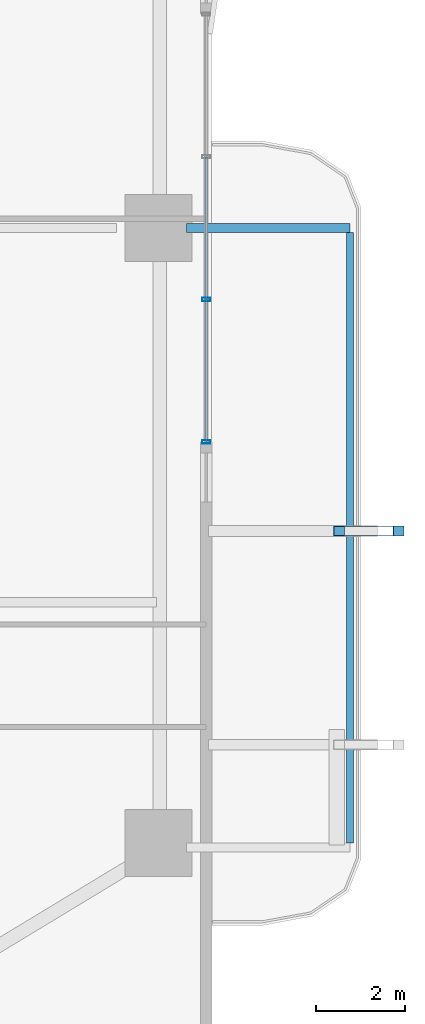
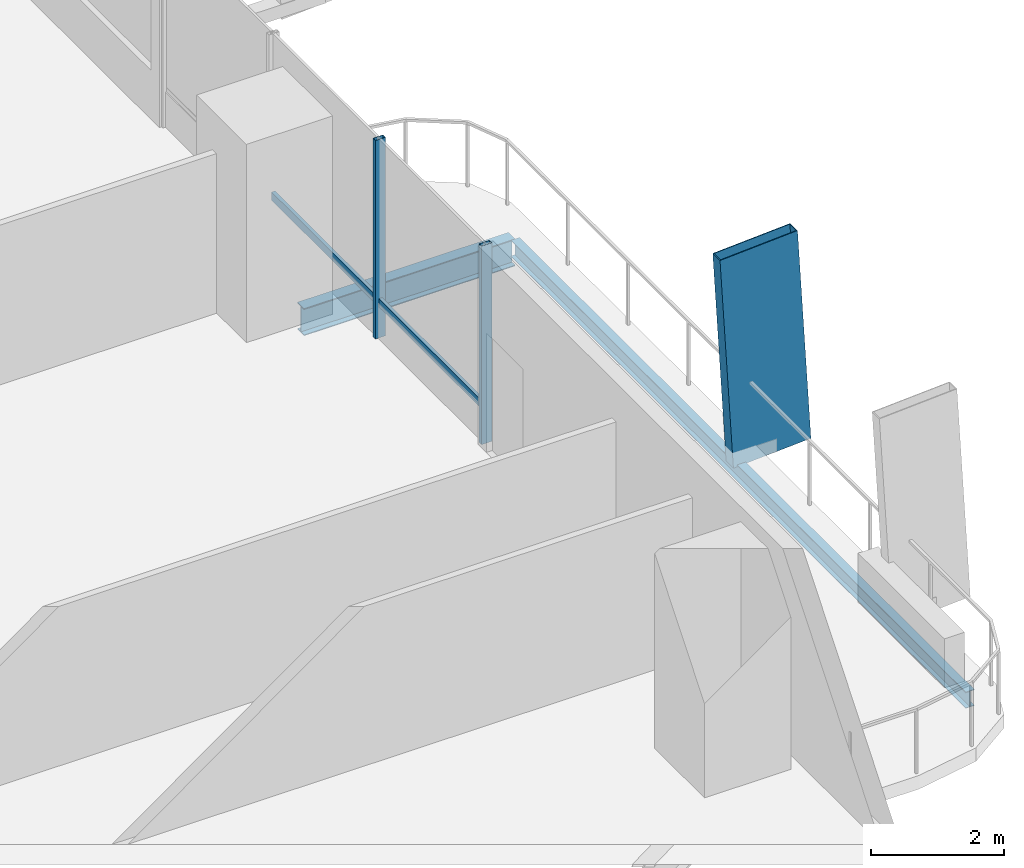
# One storey, part 12 of 30: 5 members, 2 beams, 1 element without a shape of its own.
"""IFC4 building model written with IfcOpenShell, lengths in metres."""

from ifc_helpers import new_model, si_unit, direction, frame, origin, origin_2d, place, context, subcontext, project, spatial, hollow_rectangle, i_section, extrude, material, layer, layer_set, material_profile, profile_set, type_object, element, aggregate, save


model = new_model("IFC4")

# Units and contexts
model_context = context("Model", 3, precision=1e-05, world=origin(), true_north=direction((0.0, 1.0)))
body_context = subcontext(model_context, "Body", "Model", "MODEL_VIEW")
ifc_project = project(units=[si_unit("LENGTHUNIT", "METRE"), si_unit("AREAUNIT", "SQUARE_METRE"), si_unit("VOLUMEUNIT", "CUBIC_METRE"), si_unit("PLANEANGLEUNIT", "RADIAN"), si_unit("MASSUNIT", "GRAM", prefix="KILO")], contexts=[model_context])

# Site, building, storey
site_placement = place(None, origin())
site = spatial("IfcSite", under=ifc_project, at=site_placement, CompositionType="ELEMENT")
building_placement = place(site_placement, origin())
building = spatial("IfcBuilding", under=site, at=building_placement, Name="Belovzor Exchange Tower", CompositionType="ELEMENT")
storey_placement = place(building_placement, frame((0.0, 0.0, 30.0)))
storey = spatial("IfcBuildingStorey", under=building, at=storey_placement, Name="L06", CompositionType="ELEMENT", Elevation=30.0)

# Member
ifc_material_1 = material(Name="Extruded Architectural Terracotta on Steel S355 Carrier", Category="masonry")
ifc_material_profile_1 = material_profile(ifc_material_1, hollow_rectangle(XDim=0.219970703125, YDim=1.35009765625, WallThickness=0.013916015625, at=origin_2d()))
ifc_profile_set_1 = profile_set([ifc_material_profile_1], Name="Extruded Architectural Terracotta on Steel S355 Carrier")
member_type_1 = type_object("IfcMemberType", Name="Base Arc Sweeping Terracotta Pylon Fin 1450", PredefinedType="USERDEFINED", material=ifc_profile_set_1)
member_1_placement = place(storey_placement, frame((60.3369140625, 22.0, -0.25), z_axis=(-0.059615826389, 0.0, 0.998221394904), x_axis=(0.0, -1.0, 0.0)))
element("IfcMember", 1, at=member_1_placement, inside=storey, type_object=member_type_1, Name="FIN-TC145 Terracotta Facade Fin L06 E2", ObjectType="FIN", PredefinedType="USERDEFINED", context=body_context, shape_type="SweptSolid", body=[
    extrude(hollow_rectangle(XDim=0.219970703125, YDim=1.35009765625, WallThickness=0.013916015625, at=origin_2d()), origin(), (0.0, 0.0, 1.0), 3.90673828125),
])

# Beams
ifc_material_2 = material(Name="Steel S355", Category="steel")
ifc_material_profile_2 = material_profile(ifc_material_2, i_section(OverallWidth=0.199951171875, OverallDepth=0.5, WebThickness=0.01025390625, FlangeThickness=0.01611328125, at=origin_2d()))
ifc_profile_set_2 = profile_set([ifc_material_profile_2], Name="Steel S355")
beam_type_1 = type_object("IfcBeamType", Name="Planted Balcony Cantilever Beam IPE 500", PredefinedType="BEAM", material=ifc_profile_set_2)
beam_1_placement = place(storey_placement, frame((56.1298828125, 28.800048828125, -0.5), z_axis=(1.0, 0.0, 0.0), x_axis=(0.0, 1.0, 0.0)))
element("IfcBeam", 2, at=beam_1_placement, inside=storey, type_object=beam_type_1, Name="BC-500 Planted Balcony Cantilever Beam IPE 500", PredefinedType="BEAM", context=body_context, shape_type="SweptSolid", body=[
    extrude(i_section(OverallWidth=0.199951171875, OverallDepth=0.5, WebThickness=0.01025390625, FlangeThickness=0.01611328125, at=origin_2d()), origin(), (0.0, 0.0, 1.0), 3.670166015625),
])
ifc_material_3 = material(Name="Steel S355", Category="steel")
ifc_material_profile_3 = material_profile(ifc_material_3, i_section(OverallWidth=0.14990234375, OverallDepth=0.300048828125, WebThickness=0.007080078125, FlangeThickness=0.0107421875, at=origin_2d()))
ifc_profile_set_3 = profile_set([ifc_material_profile_3], Name="Steel S355")
beam_type_2 = type_object("IfcBeamType", Name="Planted Balcony Fascia Edge Beam IPE 300", PredefinedType="BEAM", material=ifc_profile_set_3)
beam_2_placement = place(storey_placement, frame((59.800048828125, 15.0, -0.39990234375), z_axis=(0.0, 1.0, 0.0), x_axis=(-1.0, 0.0, 0.0)))
element("IfcBeam", 3, at=beam_2_placement, inside=storey, type_object=beam_type_2, Name="BC-300 Planted Balcony Fascia Edge Beam IPE 300", PredefinedType="BEAM", context=body_context, shape_type="SweptSolid", body=[
    extrude(i_section(OverallWidth=0.14990234375, OverallDepth=0.300048828125, WebThickness=0.007080078125, FlangeThickness=0.0107421875, at=origin_2d()), origin(), (0.0, 0.0, 1.0), 13.699951171875),
])

# Curtain wall, members
ifc_material_4 = material(Name="Anodised Aluminium Framing", Category="aluminium")
ifc_layer = layer(ifc_material_4, 0.179931640625)
ifc_layer_set = layer_set([ifc_layer], Name="Anodised Aluminium Framing")
curtain_wall_type = type_object("IfcCurtainWallType", Name="Recessed Loggia Low-Iron Triple-Glazed Curtain Wall", PredefinedType="NOTDEFINED", material=ifc_layer_set)
curtain_wall_placement = place(storey_placement, origin())
curtain_wall = element("IfcCurtainWall", 4, at=curtain_wall_placement, inside=storey, type_object=curtain_wall_type, Name="CW3 Recessed Loggia Low-Iron Triple-Glazed Curtain Wall L06", PredefinedType="NOTDEFINED")
ifc_material_5 = material(Name="Steel S355", Category="steel")
ifc_material_profile_4 = material_profile(ifc_material_5, hollow_rectangle(XDim=0.074951171875, YDim=0.179931640625, WallThickness=0.0048828125, at=origin_2d()))
ifc_profile_set_4 = profile_set([ifc_material_profile_4], Name="Steel S355")
member_type_2 = type_object("IfcMemberType", Name="Thermally Broken Curtain Wall Mullion 180x75", PredefinedType="MULLION", material=ifc_profile_set_4)
member_2_placement = place(storey_placement, frame((56.570068359375, 27.199951171875, 0.0), z_axis=(0.0, 0.0, 1.0), x_axis=(0.0, -1.0, 0.0)))
member_2 = element("IfcMember", 5, at=member_2_placement, type_object=member_type_2, Name="CW-M180 Curtain Wall Mullion 3", PredefinedType="MULLION", context=body_context, shape_type="SweptSolid", body=[
    extrude(hollow_rectangle(XDim=0.074951171875, YDim=0.179931640625, WallThickness=0.0048828125, at=origin_2d()), origin(), (0.0, 0.0, 1.0), 3.64990234375),
])
member_3_placement = place(storey_placement, frame((56.570068359375, 24.0, 0.0), z_axis=(0.0, 0.0, 1.0), x_axis=(0.0, -1.0, 0.0)))
member_3 = element("IfcMember", 6, at=member_3_placement, type_object=member_type_2, Name="CW-M180 Curtain Wall Mullion 4", PredefinedType="MULLION", context=body_context, shape_type="SweptSolid", body=[
    extrude(hollow_rectangle(XDim=0.074951171875, YDim=0.179931640625, WallThickness=0.0048828125, at=origin_2d()), origin(), (0.0, 0.0, 1.0), 3.64990234375),
])
ifc_material_6 = material(Name="Steel S355", Category="steel")
ifc_material_profile_5 = material_profile(ifc_material_6, hollow_rectangle(XDim=0.06005859375, YDim=0.14990234375, WallThickness=0.00390625, at=origin_2d()))
ifc_profile_set_5 = profile_set([ifc_material_profile_5], Name="Steel S355")
member_type_3 = type_object("IfcMemberType", Name="Thermally Broken Curtain Wall Transom 150x60", PredefinedType="USERDEFINED", material=ifc_profile_set_5)
member_4_placement = place(storey_placement, frame((56.570068359375, 30.39208984375, 0.64990234375), z_axis=(0.0, -1.0, 0.0), x_axis=(1.0, 0.0, 0.0)))
member_4 = element("IfcMember", 7, at=member_4_placement, type_object=member_type_3, Name="CW-T150 Curtain Wall Transom 2", ObjectType="TRANSOM", PredefinedType="USERDEFINED", context=body_context, shape_type="SweptSolid", body=[
    extrude(hollow_rectangle(XDim=0.06005859375, YDim=0.14990234375, WallThickness=0.00390625, at=origin_2d()), origin(), (0.0, 0.0, 1.0), 3.18408203125),
])
member_5_placement = place(storey_placement, frame((56.570068359375, 27.19189453125, 0.64990234375), z_axis=(0.0, -1.0, 0.0), x_axis=(1.0, 0.0, 0.0)))
member_5 = element("IfcMember", 8, at=member_5_placement, type_object=member_type_3, Name="CW-T150 Curtain Wall Transom 3", ObjectType="TRANSOM", PredefinedType="USERDEFINED", context=body_context, shape_type="SweptSolid", body=[
    extrude(hollow_rectangle(XDim=0.06005859375, YDim=0.14990234375, WallThickness=0.00390625, at=origin_2d()), origin(), (0.0, 0.0, 1.0), 3.183837890625),
])
aggregate(curtain_wall, [member_2, member_3, member_4, member_5])

save(model, "model.ifc")
